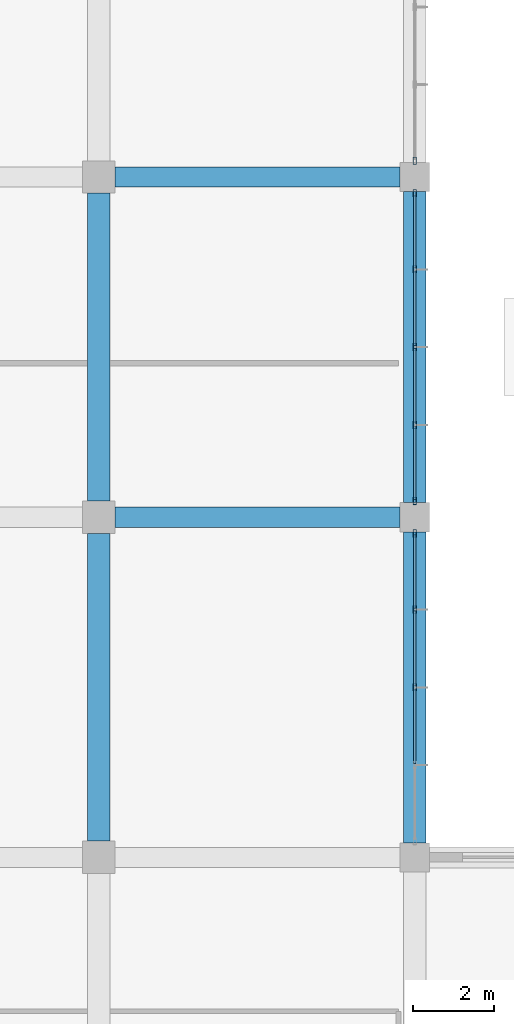
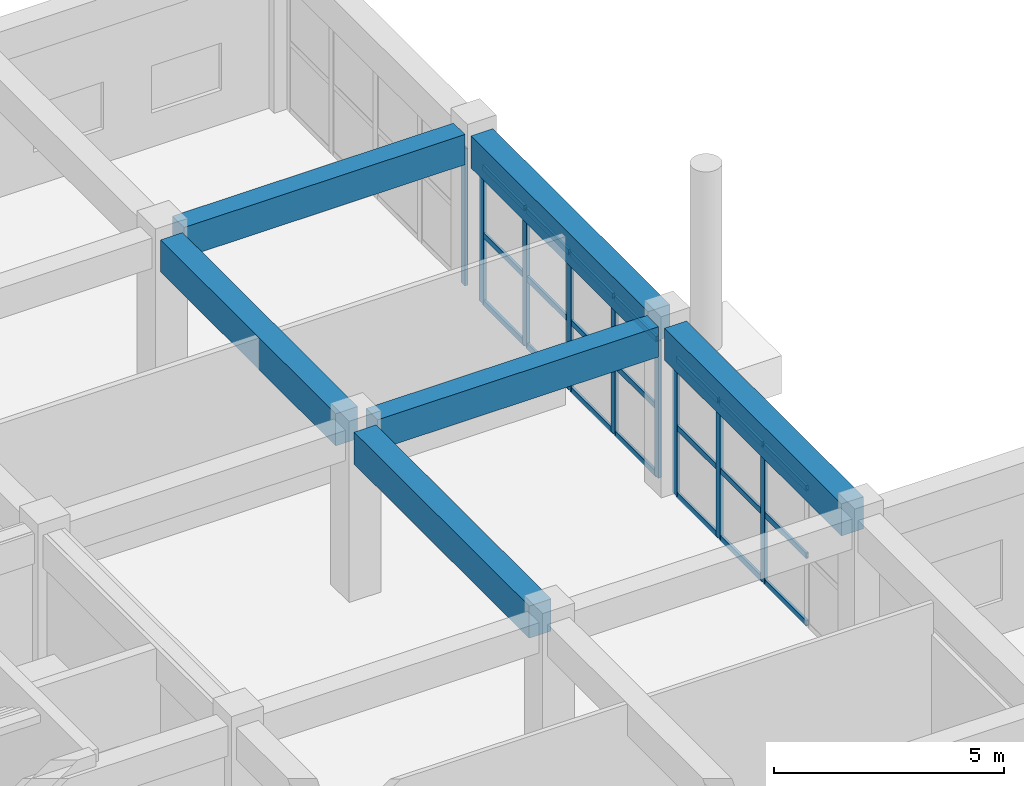
# One storey, part 85 of 139: 30 members, 6 beams, 3 elements without a shape of their own.
"""IFC4 building model written with IfcOpenShell, lengths in metres."""

from ifc_helpers import new_model, si_unit, direction, frame, origin, origin_2d, place, context, subcontext, project, spatial, rectangle, hollow_rectangle, extrude, material, layer, layer_set, material_profile, profile_set, type_object, element, aggregate, save


model = new_model("IFC4")

# Units and contexts
model_context = context("Model", 3, precision=1e-05, world=origin(), true_north=direction((0.0, 1.0)))
body_context = subcontext(model_context, "Body", "Model", "MODEL_VIEW")
ifc_project = project(units=[si_unit("LENGTHUNIT", "METRE"), si_unit("AREAUNIT", "SQUARE_METRE"), si_unit("VOLUMEUNIT", "CUBIC_METRE"), si_unit("PLANEANGLEUNIT", "RADIAN"), si_unit("MASSUNIT", "GRAM", prefix="KILO")], contexts=[model_context])

# Site, building, storey
site_placement = place(None, origin())
site = spatial("IfcSite", under=ifc_project, at=site_placement, CompositionType="ELEMENT")
building_placement = place(site_placement, origin())
building = spatial("IfcBuilding", under=site, at=building_placement, Name="Zizhar Promenade General Hospital", CompositionType="ELEMENT")
storey_placement = place(building_placement, origin())
storey = spatial("IfcBuildingStorey", under=building, at=storey_placement, Name="L00", CompositionType="ELEMENT", Elevation=0.0)

# Beams
ifc_material_1 = material(Name="Concrete C35/45", Category="concrete")
ifc_material_profile_1 = material_profile(ifc_material_1, rectangle(XDim=0.5, YDim=0.800048828125, at=origin_2d()))
ifc_profile_set_1 = profile_set([ifc_material_profile_1], Name="Concrete C35/45")
beam_type_1 = type_object("IfcBeamType", Name="BM-RC-500x800", PredefinedType="BEAM", material=ifc_profile_set_1)
for number, where, z_axis, x_axis, name in (
    (1, (125.199951171875, 117.60009765625, 4.070068359375), (1.0, 0.0, 0.0), (0.0, 1.0, 0.0), "Grid Beam X L00 (16-14)"),
    (2, (125.199951171875, 126.0, 4.070068359375), (1.0, 0.0, 0.0), (0.0, 1.0, 0.0), "Grid Beam X L00 (16-15)"),
):
    element("IfcBeam", number, at=place(storey_placement, frame(where, z_axis=z_axis, x_axis=x_axis)), inside=storey, type_object=beam_type_1, Name=name, PredefinedType="BEAM", context=body_context, shape_type="SweptSolid", body=[
        extrude(rectangle(XDim=0.5, YDim=0.800048828125, at=origin_2d()), origin(), (0.0, 0.0, 1.0), 7.0400390625),
    ])
ifc_material_2 = material(Name="Concrete C35/45", Category="concrete")
ifc_material_profile_2 = material_profile(ifc_material_2, rectangle(XDim=0.550048828125, YDim=0.85009765625, at=origin_2d()))
ifc_profile_set_2 = profile_set([ifc_material_profile_2], Name="Concrete C35/45")
beam_type_2 = type_object("IfcBeamType", Name="BM-RC-550x850", PredefinedType="BEAM", material=ifc_profile_set_2)
beam_1_placement = place(storey_placement, frame((124.800048828125, 109.60009765625, 4.044921875), z_axis=(0.0, 1.0, 0.0), x_axis=(-1.0, 0.0, 0.0)))
element("IfcBeam", 3, at=beam_1_placement, inside=storey, type_object=beam_type_2, Name="Grid Beam Y L00 (16-13)", PredefinedType="BEAM", context=body_context, shape_type="SweptSolid", body=[
    extrude(rectangle(XDim=0.550048828125, YDim=0.85009765625, at=origin_2d()), origin(), (0.0, 0.0, 1.0), 7.599853515625),
])
beam_2_placement = place(storey_placement, frame((124.800048828125, 118.0, 4.044921875), z_axis=(0.0, 1.0, 0.0), x_axis=(-1.0, 0.0, 0.0)))
element("IfcBeam", 4, at=beam_2_placement, inside=storey, type_object=beam_type_2, Name="Grid Beam Y L00 (16-14)", PredefinedType="BEAM", context=body_context, shape_type="SweptSolid", body=[
    extrude(rectangle(XDim=0.550048828125, YDim=0.85009765625, at=origin_2d()), origin(), (0.0, 0.0, 1.0), 7.60009765625),
])
for number, where, z_axis, x_axis, name in (
    (5, (132.60009765625, 109.56005859375, 4.044921875), (0.0, 1.0, 0.0), (-1.0, 0.0, 0.0), "Grid Beam Y L00 (17-13)"),
    (6, (132.60009765625, 117.9599609375, 4.044921875), (0.0, 1.0, 0.0), (-1.0, 0.0, 0.0), "Grid Beam Y L00 (17-14)"),
):
    element("IfcBeam", number, at=place(storey_placement, frame(where, z_axis=z_axis, x_axis=x_axis)), inside=storey, type_object=beam_type_2, Name=name, PredefinedType="BEAM", context=body_context, shape_type="SweptSolid", body=[
        extrude(rectangle(XDim=0.550048828125, YDim=0.85009765625, at=origin_2d()), origin(), (0.0, 0.0, 1.0), 7.679931640625),
    ])

# Curtain wall, members
ifc_material_3 = material(Name="Anodised aluminium 6063-T6 and low-E glass", Category="aluminium")
ifc_layer = layer(ifc_material_3, 0.159912109375)
ifc_layer_set = layer_set([ifc_layer], Name="Anodised aluminium 6063-T6 and low-E glass")
curtain_wall_type = type_object("IfcCurtainWallType", Name="CW-DT-MOD1", PredefinedType="NOTDEFINED", material=ifc_layer_set)
curtain_wall_1_placement = place(storey_placement, origin())
curtain_wall_1 = element("IfcCurtainWall", 7, at=curtain_wall_1_placement, inside=storey, type_object=curtain_wall_type, Name="Surgical East Glazed Curtain Wall L00-13", PredefinedType="NOTDEFINED")
ifc_material_4 = material(Name="Anodised aluminium 6063-T6", Category="aluminium")
ifc_material_profile_3 = material_profile(ifc_material_4, hollow_rectangle(XDim=0.080078125, YDim=0.179931640625, WallThickness=0.0048828125, at=origin_2d()))
ifc_profile_set_3 = profile_set([ifc_material_profile_3], Name="Anodised aluminium 6063-T6")
member_type_1 = type_object("IfcMemberType", Name="CWM-ALU-180x80", PredefinedType="MULLION", material=ifc_profile_set_3)
member_1_placement = place(storey_placement, frame((132.60009765625, 117.199951171875, 0.0), z_axis=(0.0, 0.0, 1.0), x_axis=(1.0, 0.0, 0.0)))
member_1 = element("IfcMember", 8, at=member_1_placement, type_object=member_type_1, Name="CW-07 mullion 1", PredefinedType="MULLION", context=body_context, shape_type="SweptSolid", body=[
    extrude(hollow_rectangle(XDim=0.080078125, YDim=0.179931640625, WallThickness=0.0048828125, at=origin_2d()), origin(), (0.0, 0.0, 1.0), 3.6298828125),
])
member_2_placement = place(storey_placement, frame((132.60009765625, 115.320068359375, 0.0), z_axis=(0.0, 0.0, 1.0), x_axis=(1.0, 0.0, 0.0)))
member_2 = element("IfcMember", 9, at=member_2_placement, type_object=member_type_1, Name="CW-07 mullion 2", PredefinedType="MULLION", context=body_context, shape_type="SweptSolid", body=[
    extrude(hollow_rectangle(XDim=0.080078125, YDim=0.179931640625, WallThickness=0.0048828125, at=origin_2d()), origin(), (0.0, 0.0, 1.0), 3.6298828125),
])
member_3_placement = place(storey_placement, frame((132.60009765625, 113.39990234375, 0.0), z_axis=(0.0, 0.0, 1.0), x_axis=(1.0, 0.0, 0.0)))
member_3 = element("IfcMember", 10, at=member_3_placement, type_object=member_type_1, Name="CW-07 mullion 3", PredefinedType="MULLION", context=body_context, shape_type="SweptSolid", body=[
    extrude(hollow_rectangle(XDim=0.080078125, YDim=0.179931640625, WallThickness=0.0048828125, at=origin_2d()), origin(), (0.0, 0.0, 1.0), 3.6298828125),
])

curtain_wall_2_placement = place(storey_placement, origin())
curtain_wall_2 = element("IfcCurtainWall", 11, at=curtain_wall_2_placement, inside=storey, type_object=curtain_wall_type, Name="Surgical East Glazed Curtain Wall L00-14", PredefinedType="NOTDEFINED")
member_4_placement = place(storey_placement, frame((132.60009765625, 125.60009765625, 0.0), z_axis=(0.0, 0.0, 1.0), x_axis=(1.0, 0.0, 0.0)))
member_4 = element("IfcMember", 12, at=member_4_placement, type_object=member_type_1, Name="CW-07 mullion 1", PredefinedType="MULLION", context=body_context, shape_type="SweptSolid", body=[
    extrude(hollow_rectangle(XDim=0.080078125, YDim=0.179931640625, WallThickness=0.0048828125, at=origin_2d()), origin(), (0.0, 0.0, 1.0), 3.6298828125),
])
member_5_placement = place(storey_placement, frame((132.60009765625, 123.719970703125, 0.0), z_axis=(0.0, 0.0, 1.0), x_axis=(1.0, 0.0, 0.0)))
member_5 = element("IfcMember", 13, at=member_5_placement, type_object=member_type_1, Name="CW-07 mullion 2", PredefinedType="MULLION", context=body_context, shape_type="SweptSolid", body=[
    extrude(hollow_rectangle(XDim=0.080078125, YDim=0.179931640625, WallThickness=0.0048828125, at=origin_2d()), origin(), (0.0, 0.0, 1.0), 3.6298828125),
])
member_6_placement = place(storey_placement, frame((132.60009765625, 121.800048828125, 0.0), z_axis=(0.0, 0.0, 1.0), x_axis=(1.0, 0.0, 0.0)))
member_6 = element("IfcMember", 14, at=member_6_placement, type_object=member_type_1, Name="CW-07 mullion 3", PredefinedType="MULLION", context=body_context, shape_type="SweptSolid", body=[
    extrude(hollow_rectangle(XDim=0.080078125, YDim=0.179931640625, WallThickness=0.0048828125, at=origin_2d()), origin(), (0.0, 0.0, 1.0), 3.6298828125),
])
member_7_placement = place(storey_placement, frame((132.60009765625, 119.8798828125, 0.0), z_axis=(0.0, 0.0, 1.0), x_axis=(1.0, 0.0, 0.0)))
member_7 = element("IfcMember", 15, at=member_7_placement, type_object=member_type_1, Name="CW-07 mullion 4", PredefinedType="MULLION", context=body_context, shape_type="SweptSolid", body=[
    extrude(hollow_rectangle(XDim=0.080078125, YDim=0.179931640625, WallThickness=0.0048828125, at=origin_2d()), origin(), (0.0, 0.0, 1.0), 3.6298828125),
])
member_8_placement = place(storey_placement, frame((132.60009765625, 118.0, 0.0), z_axis=(0.0, 0.0, 1.0), x_axis=(1.0, 0.0, 0.0)))
member_8 = element("IfcMember", 16, at=member_8_placement, type_object=member_type_1, Name="CW-07 mullion 5", PredefinedType="MULLION", context=body_context, shape_type="SweptSolid", body=[
    extrude(hollow_rectangle(XDim=0.080078125, YDim=0.179931640625, WallThickness=0.0048828125, at=origin_2d()), origin(), (0.0, 0.0, 1.0), 3.6298828125),
])

# Curtain wall, member
curtain_wall_3_placement = place(storey_placement, origin())
curtain_wall_3 = element("IfcCurtainWall", 17, at=curtain_wall_3_placement, inside=storey, type_object=curtain_wall_type, Name="Surgical East Glazed Curtain Wall L00-15", PredefinedType="NOTDEFINED")
member_9_placement = place(storey_placement, frame((132.60009765625, 126.39990234375, 0.0), z_axis=(0.0, 0.0, 1.0), x_axis=(1.0, 0.0, 0.0)))
member_9 = element("IfcMember", 18, at=member_9_placement, type_object=member_type_1, Name="CW-07 mullion 5", PredefinedType="MULLION", context=body_context, shape_type="SweptSolid", body=[
    extrude(hollow_rectangle(XDim=0.080078125, YDim=0.179931640625, WallThickness=0.0048828125, at=origin_2d()), origin(), (0.0, 0.0, 1.0), 3.6298828125),
])
aggregate(curtain_wall_3, [member_9])

# Member
ifc_material_5 = material(Name="Anodised aluminium 6063-T6", Category="aluminium")
ifc_material_profile_4 = material_profile(ifc_material_5, hollow_rectangle(XDim=0.06005859375, YDim=0.14990234375, WallThickness=0.00390625, at=origin_2d()))
ifc_profile_set_4 = profile_set([ifc_material_profile_4], Name="Anodised aluminium 6063-T6")
member_type_2 = type_object("IfcMemberType", Name="CWT-ALU-150x60", PredefinedType="USERDEFINED", material=ifc_profile_set_4)
member_10_placement = place(storey_placement, frame((132.60009765625, 117.159912109375, 0.030029296875), z_axis=(0.0, -1.0, 0.0), x_axis=(1.0, 0.0, 0.0)))
member_10 = element("IfcMember", 19, at=member_10_placement, type_object=member_type_2, Name="CW-07 transom 1.1", ObjectType="TRANSOM", PredefinedType="USERDEFINED", context=body_context, shape_type="SweptSolid", body=[
    extrude(hollow_rectangle(XDim=0.06005859375, YDim=0.14990234375, WallThickness=0.00390625, at=origin_2d()), origin(), (0.0, 0.0, 1.0), 1.7998046875),
])

member_11_placement = place(storey_placement, frame((132.60009765625, 117.159912109375, 1.81494140625), z_axis=(0.0, -1.0, 0.0), x_axis=(1.0, 0.0, 0.0)))
member_11 = element("IfcMember", 20, at=member_11_placement, type_object=member_type_2, Name="CW-07 transom 1.2", ObjectType="TRANSOM", PredefinedType="USERDEFINED", context=body_context, shape_type="SweptSolid", body=[
    extrude(hollow_rectangle(XDim=0.06005859375, YDim=0.14990234375, WallThickness=0.00390625, at=origin_2d()), origin(), (0.0, 0.0, 1.0), 1.7998046875),
])

member_12_placement = place(storey_placement, frame((132.60009765625, 117.159912109375, 3.60009765625), z_axis=(0.0, -1.0, 0.0), x_axis=(1.0, 0.0, 0.0)))
member_12 = element("IfcMember", 21, at=member_12_placement, type_object=member_type_2, Name="CW-07 transom 1.3", ObjectType="TRANSOM", PredefinedType="USERDEFINED", context=body_context, shape_type="SweptSolid", body=[
    extrude(hollow_rectangle(XDim=0.06005859375, YDim=0.14990234375, WallThickness=0.00390625, at=origin_2d()), origin(), (0.0, 0.0, 1.0), 1.7998046875),
])

member_13_placement = place(storey_placement, frame((132.60009765625, 115.280029296875, 0.030029296875), z_axis=(0.0, -1.0, 0.0), x_axis=(1.0, 0.0, 0.0)))
member_13 = element("IfcMember", 22, at=member_13_placement, type_object=member_type_2, Name="CW-07 transom 2.1", ObjectType="TRANSOM", PredefinedType="USERDEFINED", context=body_context, shape_type="SweptSolid", body=[
    extrude(hollow_rectangle(XDim=0.06005859375, YDim=0.14990234375, WallThickness=0.00390625, at=origin_2d()), origin(), (0.0, 0.0, 1.0), 1.840087890625),
])

member_14_placement = place(storey_placement, frame((132.60009765625, 115.280029296875, 1.81494140625), z_axis=(0.0, -1.0, 0.0), x_axis=(1.0, 0.0, 0.0)))
member_14 = element("IfcMember", 23, at=member_14_placement, type_object=member_type_2, Name="CW-07 transom 2.2", ObjectType="TRANSOM", PredefinedType="USERDEFINED", context=body_context, shape_type="SweptSolid", body=[
    extrude(hollow_rectangle(XDim=0.06005859375, YDim=0.14990234375, WallThickness=0.00390625, at=origin_2d()), origin(), (0.0, 0.0, 1.0), 1.840087890625),
])

member_15_placement = place(storey_placement, frame((132.60009765625, 115.280029296875, 3.60009765625), z_axis=(0.0, -1.0, 0.0), x_axis=(1.0, 0.0, 0.0)))
member_15 = element("IfcMember", 24, at=member_15_placement, type_object=member_type_2, Name="CW-07 transom 2.3", ObjectType="TRANSOM", PredefinedType="USERDEFINED", context=body_context, shape_type="SweptSolid", body=[
    extrude(hollow_rectangle(XDim=0.06005859375, YDim=0.14990234375, WallThickness=0.00390625, at=origin_2d()), origin(), (0.0, 0.0, 1.0), 1.840087890625),
])

member_16_placement = place(storey_placement, frame((132.60009765625, 113.360107421875, 0.030029296875), z_axis=(0.0, -1.0, 0.0), x_axis=(1.0, 0.0, 0.0)))
member_16 = element("IfcMember", 25, at=member_16_placement, type_object=member_type_2, Name="CW-07 transom 3.1", ObjectType="TRANSOM", PredefinedType="USERDEFINED", context=body_context, shape_type="SweptSolid", body=[
    extrude(hollow_rectangle(XDim=0.06005859375, YDim=0.14990234375, WallThickness=0.00390625, at=origin_2d()), origin(), (0.0, 0.0, 1.0), 1.840087890625),
])

member_17_placement = place(storey_placement, frame((132.60009765625, 113.360107421875, 1.81494140625), z_axis=(0.0, -1.0, 0.0), x_axis=(1.0, 0.0, 0.0)))
member_17 = element("IfcMember", 26, at=member_17_placement, type_object=member_type_2, Name="CW-07 transom 3.2", ObjectType="TRANSOM", PredefinedType="USERDEFINED", context=body_context, shape_type="SweptSolid", body=[
    extrude(hollow_rectangle(XDim=0.06005859375, YDim=0.14990234375, WallThickness=0.00390625, at=origin_2d()), origin(), (0.0, 0.0, 1.0), 1.840087890625),
])

member_18_placement = place(storey_placement, frame((132.60009765625, 113.360107421875, 3.60009765625), z_axis=(0.0, -1.0, 0.0), x_axis=(1.0, 0.0, 0.0)))
member_18 = element("IfcMember", 27, at=member_18_placement, type_object=member_type_2, Name="CW-07 transom 3.3", ObjectType="TRANSOM", PredefinedType="USERDEFINED", context=body_context, shape_type="SweptSolid", body=[
    extrude(hollow_rectangle(XDim=0.06005859375, YDim=0.14990234375, WallThickness=0.00390625, at=origin_2d()), origin(), (0.0, 0.0, 1.0), 1.840087890625),
])

aggregate(curtain_wall_1, [member_1, member_2, member_3, member_10, member_11, member_12, member_13, member_14, member_15, member_16, member_17, member_18])

member_19_placement = place(storey_placement, frame((132.60009765625, 125.56005859375, 0.030029296875), z_axis=(0.0, -1.0, 0.0), x_axis=(1.0, 0.0, 0.0)))
member_19 = element("IfcMember", 28, at=member_19_placement, type_object=member_type_2, Name="CW-07 transom 1.1", ObjectType="TRANSOM", PredefinedType="USERDEFINED", context=body_context, shape_type="SweptSolid", body=[
    extrude(hollow_rectangle(XDim=0.06005859375, YDim=0.14990234375, WallThickness=0.00390625, at=origin_2d()), origin(), (0.0, 0.0, 1.0), 1.800048828125),
])

member_20_placement = place(storey_placement, frame((132.60009765625, 125.56005859375, 1.81494140625), z_axis=(0.0, -1.0, 0.0), x_axis=(1.0, 0.0, 0.0)))
member_20 = element("IfcMember", 29, at=member_20_placement, type_object=member_type_2, Name="CW-07 transom 1.2", ObjectType="TRANSOM", PredefinedType="USERDEFINED", context=body_context, shape_type="SweptSolid", body=[
    extrude(hollow_rectangle(XDim=0.06005859375, YDim=0.14990234375, WallThickness=0.00390625, at=origin_2d()), origin(), (0.0, 0.0, 1.0), 1.800048828125),
])

member_21_placement = place(storey_placement, frame((132.60009765625, 125.56005859375, 3.60009765625), z_axis=(0.0, -1.0, 0.0), x_axis=(1.0, 0.0, 0.0)))
member_21 = element("IfcMember", 30, at=member_21_placement, type_object=member_type_2, Name="CW-07 transom 1.3", ObjectType="TRANSOM", PredefinedType="USERDEFINED", context=body_context, shape_type="SweptSolid", body=[
    extrude(hollow_rectangle(XDim=0.06005859375, YDim=0.14990234375, WallThickness=0.00390625, at=origin_2d()), origin(), (0.0, 0.0, 1.0), 1.800048828125),
])

member_22_placement = place(storey_placement, frame((132.60009765625, 123.679931640625, 0.030029296875), z_axis=(0.0, -1.0, 0.0), x_axis=(1.0, 0.0, 0.0)))
member_22 = element("IfcMember", 31, at=member_22_placement, type_object=member_type_2, Name="CW-07 transom 2.1", ObjectType="TRANSOM", PredefinedType="USERDEFINED", context=body_context, shape_type="SweptSolid", body=[
    extrude(hollow_rectangle(XDim=0.06005859375, YDim=0.14990234375, WallThickness=0.00390625, at=origin_2d()), origin(), (0.0, 0.0, 1.0), 1.83984375),
])

member_23_placement = place(storey_placement, frame((132.60009765625, 123.679931640625, 1.81494140625), z_axis=(0.0, -1.0, 0.0), x_axis=(1.0, 0.0, 0.0)))
member_23 = element("IfcMember", 32, at=member_23_placement, type_object=member_type_2, Name="CW-07 transom 2.2", ObjectType="TRANSOM", PredefinedType="USERDEFINED", context=body_context, shape_type="SweptSolid", body=[
    extrude(hollow_rectangle(XDim=0.06005859375, YDim=0.14990234375, WallThickness=0.00390625, at=origin_2d()), origin(), (0.0, 0.0, 1.0), 1.83984375),
])

member_24_placement = place(storey_placement, frame((132.60009765625, 123.679931640625, 3.60009765625), z_axis=(0.0, -1.0, 0.0), x_axis=(1.0, 0.0, 0.0)))
member_24 = element("IfcMember", 33, at=member_24_placement, type_object=member_type_2, Name="CW-07 transom 2.3", ObjectType="TRANSOM", PredefinedType="USERDEFINED", context=body_context, shape_type="SweptSolid", body=[
    extrude(hollow_rectangle(XDim=0.06005859375, YDim=0.14990234375, WallThickness=0.00390625, at=origin_2d()), origin(), (0.0, 0.0, 1.0), 1.83984375),
])

member_25_placement = place(storey_placement, frame((132.60009765625, 121.760009765625, 0.030029296875), z_axis=(0.0, -1.0, 0.0), x_axis=(1.0, 0.0, 0.0)))
member_25 = element("IfcMember", 34, at=member_25_placement, type_object=member_type_2, Name="CW-07 transom 3.1", ObjectType="TRANSOM", PredefinedType="USERDEFINED", context=body_context, shape_type="SweptSolid", body=[
    extrude(hollow_rectangle(XDim=0.06005859375, YDim=0.14990234375, WallThickness=0.00390625, at=origin_2d()), origin(), (0.0, 0.0, 1.0), 1.840087890625),
])

member_26_placement = place(storey_placement, frame((132.60009765625, 121.760009765625, 1.81494140625), z_axis=(0.0, -1.0, 0.0), x_axis=(1.0, 0.0, 0.0)))
member_26 = element("IfcMember", 35, at=member_26_placement, type_object=member_type_2, Name="CW-07 transom 3.2", ObjectType="TRANSOM", PredefinedType="USERDEFINED", context=body_context, shape_type="SweptSolid", body=[
    extrude(hollow_rectangle(XDim=0.06005859375, YDim=0.14990234375, WallThickness=0.00390625, at=origin_2d()), origin(), (0.0, 0.0, 1.0), 1.840087890625),
])

member_27_placement = place(storey_placement, frame((132.60009765625, 121.760009765625, 3.60009765625), z_axis=(0.0, -1.0, 0.0), x_axis=(1.0, 0.0, 0.0)))
member_27 = element("IfcMember", 36, at=member_27_placement, type_object=member_type_2, Name="CW-07 transom 3.3", ObjectType="TRANSOM", PredefinedType="USERDEFINED", context=body_context, shape_type="SweptSolid", body=[
    extrude(hollow_rectangle(XDim=0.06005859375, YDim=0.14990234375, WallThickness=0.00390625, at=origin_2d()), origin(), (0.0, 0.0, 1.0), 1.840087890625),
])

member_28_placement = place(storey_placement, frame((132.60009765625, 119.840087890625, 0.030029296875), z_axis=(0.0, -1.0, 0.0), x_axis=(1.0, 0.0, 0.0)))
member_28 = element("IfcMember", 37, at=member_28_placement, type_object=member_type_2, Name="CW-07 transom 4.1", ObjectType="TRANSOM", PredefinedType="USERDEFINED", context=body_context, shape_type="SweptSolid", body=[
    extrude(hollow_rectangle(XDim=0.06005859375, YDim=0.14990234375, WallThickness=0.00390625, at=origin_2d()), origin(), (0.0, 0.0, 1.0), 1.800048828125),
])

member_29_placement = place(storey_placement, frame((132.60009765625, 119.840087890625, 1.81494140625), z_axis=(0.0, -1.0, 0.0), x_axis=(1.0, 0.0, 0.0)))
member_29 = element("IfcMember", 38, at=member_29_placement, type_object=member_type_2, Name="CW-07 transom 4.2", ObjectType="TRANSOM", PredefinedType="USERDEFINED", context=body_context, shape_type="SweptSolid", body=[
    extrude(hollow_rectangle(XDim=0.06005859375, YDim=0.14990234375, WallThickness=0.00390625, at=origin_2d()), origin(), (0.0, 0.0, 1.0), 1.800048828125),
])

member_30_placement = place(storey_placement, frame((132.60009765625, 119.840087890625, 3.60009765625), z_axis=(0.0, -1.0, 0.0), x_axis=(1.0, 0.0, 0.0)))
member_30 = element("IfcMember", 39, at=member_30_placement, type_object=member_type_2, Name="CW-07 transom 4.3", ObjectType="TRANSOM", PredefinedType="USERDEFINED", context=body_context, shape_type="SweptSolid", body=[
    extrude(hollow_rectangle(XDim=0.06005859375, YDim=0.14990234375, WallThickness=0.00390625, at=origin_2d()), origin(), (0.0, 0.0, 1.0), 1.800048828125),
])

aggregate(curtain_wall_2, [member_4, member_5, member_6, member_7, member_8, member_19, member_20, member_21, member_22, member_23, member_24, member_25, member_26, member_27, member_28, member_29, member_30])

save(model, "model.ifc")
